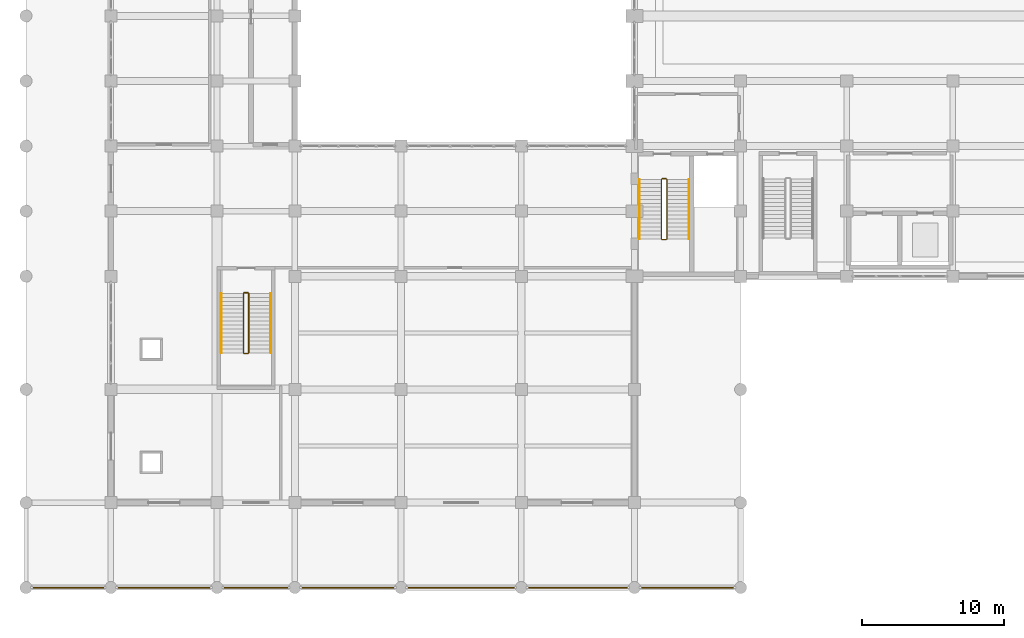
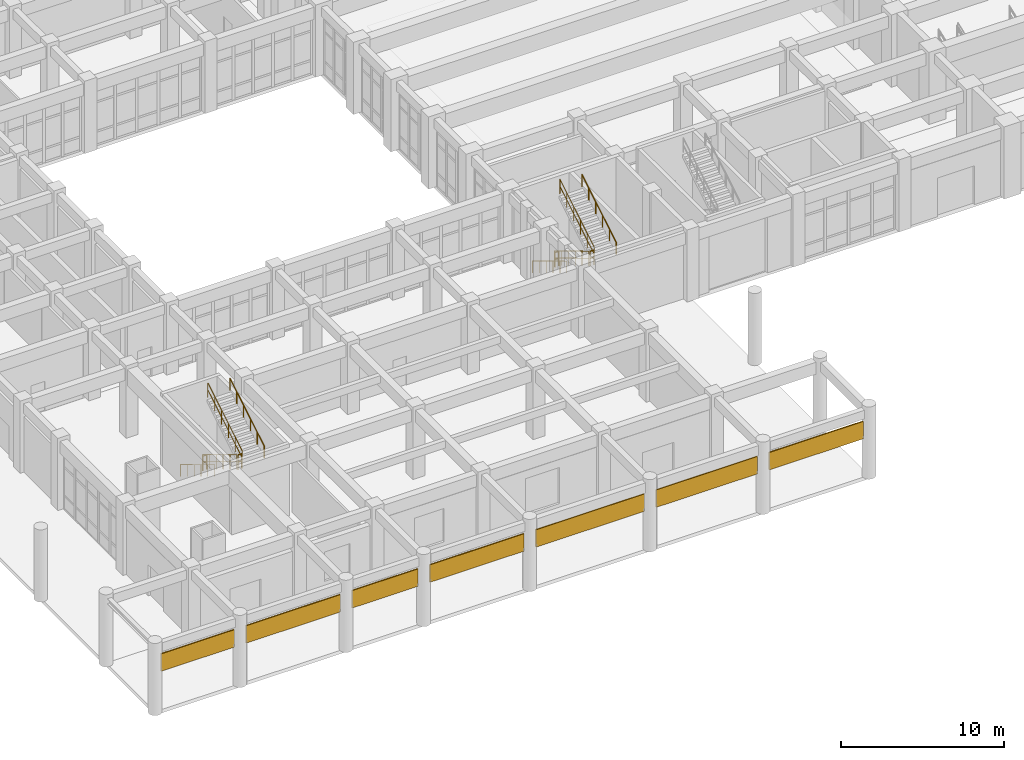
# One storey, part 75 of 84: 12 railings, 7 shading devices.
"""IFC4 building model written with IfcOpenShell, lengths in metres."""

from ifc_helpers import new_model, si_unit, direction, frame, origin, origin_2d, place, context, subcontext, project, spatial, rectangle, circle, extrude, material, layer, layer_set, type_object, element, save


model = new_model("IFC4")

# Units and contexts
model_context = context("Model", 3, precision=1e-05, world=origin(), true_north=direction((0.0, 1.0)))
body_context = subcontext(model_context, "Body", "Model", "MODEL_VIEW")
ifc_project = project(units=[si_unit("LENGTHUNIT", "METRE"), si_unit("AREAUNIT", "SQUARE_METRE"), si_unit("VOLUMEUNIT", "CUBIC_METRE"), si_unit("PLANEANGLEUNIT", "RADIAN"), si_unit("MASSUNIT", "GRAM", prefix="KILO")], contexts=[model_context])

# Site, building, storey
site_placement = place(None, origin())
site = spatial("IfcSite", under=ifc_project, at=site_placement, CompositionType="ELEMENT")
building_placement = place(site_placement, origin())
building = spatial("IfcBuilding", under=site, at=building_placement, Name="Muzn Square Opera House", CompositionType="ELEMENT")
storey_placement = place(building_placement, origin())
storey = spatial("IfcBuildingStorey", under=building, at=storey_placement, Name="L00", CompositionType="ELEMENT", Elevation=0.0)

# Shading devices
ifc_material_1 = material(Name="Architectural bronze mashrabiya", Category="metal")
ifc_layer = layer(ifc_material_1, 0.080078125, Name="Architectural bronze mashrabiya", Category="metal")
ifc_layer_set = layer_set([ifc_layer], Name="Architectural bronze mashrabiya")
shading_device_type = type_object("IfcShadingDeviceType", Name="Bronze Botanical Mashrabiya Screen", PredefinedType="JALOUSIE", material=ifc_layer_set)
shading_device_1_placement = place(storey_placement, frame((3.0, 0.0, 2.89990234375), z_axis=(0.0, 0.0, 1.0), x_axis=(1.0, 0.0, 0.0)))
element("IfcShadingDevice", 1, at=shading_device_1_placement, inside=storey, type_object=shading_device_type, Name="Bronze Botanical Mashrabiya Solar Screen SHD-L00-S01", PredefinedType="JALOUSIE", context=body_context, shape_type="SweptSolid", body=[
    extrude(rectangle(XDim=5.169921875, YDim=0.080078125, at=origin_2d()), origin(), (0.0, 0.0, 1.0), 1.300048828125),
])
shading_device_2_placement = place(storey_placement, frame((9.75, 0.0, 2.89990234375), z_axis=(0.0, 0.0, 1.0), x_axis=(1.0, 0.0, 0.0)))
element("IfcShadingDevice", 2, at=shading_device_2_placement, inside=storey, type_object=shading_device_type, Name="Bronze Botanical Mashrabiya Solar Screen SHD-L00-S02", PredefinedType="JALOUSIE", context=body_context, shape_type="SweptSolid", body=[
    extrude(rectangle(XDim=6.669921875, YDim=0.080078125, at=origin_2d()), origin(), (0.0, 0.0, 1.0), 1.300048828125),
])
shading_device_3_placement = place(storey_placement, frame((16.25, 0.0, 2.89990234375), z_axis=(0.0, 0.0, 1.0), x_axis=(1.0, 0.0, 0.0)))
element("IfcShadingDevice", 3, at=shading_device_3_placement, inside=storey, type_object=shading_device_type, Name="Bronze Botanical Mashrabiya Solar Screen SHD-L00-S03", PredefinedType="JALOUSIE", context=body_context, shape_type="SweptSolid", body=[
    extrude(rectangle(XDim=4.669921875, YDim=0.080078125, at=origin_2d()), origin(), (0.0, 0.0, 1.0), 1.300048828125),
])
shading_device_4_placement = place(storey_placement, frame((22.75, 0.0, 2.89990234375), z_axis=(0.0, 0.0, 1.0), x_axis=(1.0, 0.0, 0.0)))
element("IfcShadingDevice", 4, at=shading_device_4_placement, inside=storey, type_object=shading_device_type, Name="Bronze Botanical Mashrabiya Solar Screen SHD-L00-S04", PredefinedType="JALOUSIE", context=body_context, shape_type="SweptSolid", body=[
    extrude(rectangle(XDim=6.669921875, YDim=0.080078125, at=origin_2d()), origin(), (0.0, 0.0, 1.0), 1.300048828125),
])
shading_device_5_placement = place(storey_placement, frame((30.75, 0.0, 2.89990234375), z_axis=(0.0, 0.0, 1.0), x_axis=(1.0, 0.0, 0.0)))
element("IfcShadingDevice", 5, at=shading_device_5_placement, inside=storey, type_object=shading_device_type, Name="Bronze Botanical Mashrabiya Solar Screen SHD-L00-S05", PredefinedType="JALOUSIE", context=body_context, shape_type="SweptSolid", body=[
    extrude(rectangle(XDim=7.669921875, YDim=0.080078125, at=origin_2d()), origin(), (0.0, 0.0, 1.0), 1.300048828125),
])
shading_device_6_placement = place(storey_placement, frame((39.0, 0.0, 2.89990234375), z_axis=(0.0, 0.0, 1.0), x_axis=(1.0, 0.0, 0.0)))
element("IfcShadingDevice", 6, at=shading_device_6_placement, inside=storey, type_object=shading_device_type, Name="Bronze Botanical Mashrabiya Solar Screen SHD-L00-S06", PredefinedType="JALOUSIE", context=body_context, shape_type="SweptSolid", body=[
    extrude(rectangle(XDim=7.169921875, YDim=0.080078125, at=origin_2d()), origin(), (0.0, 0.0, 1.0), 1.300048828125),
])
shading_device_7_placement = place(storey_placement, frame((46.75, 0.0, 2.89990234375), z_axis=(0.0, 0.0, 1.0), x_axis=(1.0, 0.0, 0.0)))
element("IfcShadingDevice", 7, at=shading_device_7_placement, inside=storey, type_object=shading_device_type, Name="Bronze Botanical Mashrabiya Solar Screen SHD-L00-S07", PredefinedType="JALOUSIE", context=body_context, shape_type="SweptSolid", body=[
    extrude(rectangle(XDim=6.669921875, YDim=0.080078125, at=origin_2d()), origin(), (0.0, 0.0, 1.0), 1.300048828125),
])

# Railings
ifc_material_2 = material(Name="Brushed stainless steel", Category="metal")
railing_type_1 = type_object("IfcRailingType", Name="Stair Guard Railing 1120mm", PredefinedType="GUARDRAIL", material=ifc_material_2)
railing_1_placement = place(storey_placement, frame((44.909912109375, 28.840087890625, 0.168701171875)))
element("IfcRailing", 8, at=railing_1_placement, inside=storey, type_object=railing_type_1, Name="L00 ST-3 stair guard 1", PredefinedType="GUARDRAIL", context=body_context, shape_type="SweptSolid", body=[
    extrude(circle(Radius=0.02392578125, at=origin_2d()), frame((0.0, 0.0, 1.076171875), z_axis=(0.0, -0.856489757249, 0.516164020179), x_axis=(1.0, 0.0, 0.0)), (0.0, 0.0, 1.0), 4.904052734375),
    extrude(circle(Radius=0.02392578125, at=origin_2d()), frame((0.0, 0.0, 0.550048828125), z_axis=(0.0, -0.856489757249, 0.516164020179), x_axis=(1.0, 0.0, 0.0)), (0.0, 0.0, 1.0), 4.904052734375),
    extrude(circle(Radius=0.02099609375, at=origin_2d()), origin(), (0.0, 0.0, 1.0), 1.052001953125),
    extrude(circle(Radius=0.02099609375, at=origin_2d()), frame((0.0, -0.840087890625, 0.50634765625)), (0.0, 0.0, 1.0), 1.052001953125),
    extrude(circle(Radius=0.02099609375, at=origin_2d()), frame((0.0, -1.68017578125, 1.012451171875)), (0.0, 0.0, 1.0), 1.052001953125),
    extrude(circle(Radius=0.02099609375, at=origin_2d()), frame((0.0, -2.52001953125, 1.518798828125)), (0.0, 0.0, 1.0), 1.052001953125),
    extrude(circle(Radius=0.02099609375, at=origin_2d()), frame((0.0, -3.360107421875, 2.02490234375)), (0.0, 0.0, 1.0), 1.052001953125),
    extrude(circle(Radius=0.02099609375, at=origin_2d()), frame((0.0, -4.2001953125, 2.53125)), (0.0, 0.0, 1.0), 1.052001953125),
])
railing_2_placement = place(storey_placement, frame((44.9599609375, 24.590087890625, 2.699951171875)))
element("IfcRailing", 9, at=railing_2_placement, inside=storey, type_object=railing_type_1, Name="L00 ST-3 stair guard 2", PredefinedType="GUARDRAIL", context=body_context, shape_type="SweptSolid", body=[
    extrude(circle(Radius=0.02392578125, at=origin_2d()), frame((0.0, 0.0, 1.076171875), z_axis=(1.0, 0.0, 0.0), x_axis=(0.0, 1.0, 0.0)), (0.0, 0.0, 1.0), 0.280029296875),
    extrude(circle(Radius=0.02392578125, at=origin_2d()), frame((0.0, 0.0, 0.550048828125), z_axis=(1.0, 0.0, 0.0), x_axis=(0.0, 1.0, 0.0)), (0.0, 0.0, 1.0), 0.280029296875),
    extrude(circle(Radius=0.02099609375, at=origin_2d()), origin(), (0.0, 0.0, 1.0), 1.052001953125),
    extrude(circle(Radius=0.02099609375, at=origin_2d()), frame((0.280029296875, 0.0, 0.0)), (0.0, 0.0, 1.0), 1.052001953125),
])
railing_3_placement = place(storey_placement, frame((45.2900390625, 24.639892578125, 2.86865234375)))
element("IfcRailing", 10, at=railing_3_placement, inside=storey, type_object=railing_type_1, Name="L00 ST-3 stair guard 3", PredefinedType="GUARDRAIL", context=body_context, shape_type="SweptSolid", body=[
    extrude(circle(Radius=0.02392578125, at=origin_2d()), frame((0.0, 0.0, 1.076171875), z_axis=(0.0, 0.856489757249, 0.516164020179), x_axis=(-1.0, 0.0, 0.0)), (0.0, 0.0, 1.0), 4.904052734375),
    extrude(circle(Radius=0.02392578125, at=origin_2d()), frame((0.0, 0.0, 0.550048828125), z_axis=(0.0, 0.856489757249, 0.516164020179), x_axis=(-1.0, 0.0, 0.0)), (0.0, 0.0, 1.0), 4.904052734375),
    extrude(circle(Radius=0.02099609375, at=origin_2d()), origin(), (0.0, 0.0, 1.0), 1.052001953125),
    extrude(circle(Radius=0.02099609375, at=origin_2d()), frame((0.0, 0.840087890625, 0.50634765625)), (0.0, 0.0, 1.0), 1.052001953125),
    extrude(circle(Radius=0.02099609375, at=origin_2d()), frame((0.0, 1.68017578125, 1.012451171875)), (0.0, 0.0, 1.0), 1.052001953125),
    extrude(circle(Radius=0.02099609375, at=origin_2d()), frame((0.0, 2.52001953125, 1.518798828125)), (0.0, 0.0, 1.0), 1.052001953125),
    extrude(circle(Radius=0.02099609375, at=origin_2d()), frame((0.0, 3.360107421875, 2.02490234375)), (0.0, 0.0, 1.0), 1.052001953125),
    extrude(circle(Radius=0.02099609375, at=origin_2d()), frame((0.0, 4.2001953125, 2.53125)), (0.0, 0.0, 1.0), 1.052001953125),
])
railing_4_placement = place(storey_placement, frame((44.9599609375, 28.889892578125, 0.0)))
element("IfcRailing", 11, at=railing_4_placement, inside=storey, type_object=railing_type_1, Name="L00 ST-3 stair guard 4", PredefinedType="GUARDRAIL", context=body_context, shape_type="SweptSolid", body=[
    extrude(circle(Radius=0.02392578125, at=origin_2d()), frame((0.0, 0.0, 1.076171875), z_axis=(1.0, 0.0, 0.0), x_axis=(0.0, 1.0, 0.0)), (0.0, 0.0, 1.0), 0.280029296875),
    extrude(circle(Radius=0.02392578125, at=origin_2d()), frame((0.0, 0.0, 0.550048828125), z_axis=(1.0, 0.0, 0.0), x_axis=(0.0, 1.0, 0.0)), (0.0, 0.0, 1.0), 0.280029296875),
    extrude(circle(Radius=0.02099609375, at=origin_2d()), origin(), (0.0, 0.0, 1.0), 1.052001953125),
    extrude(circle(Radius=0.02099609375, at=origin_2d()), frame((0.280029296875, 0.0, 0.0)), (0.0, 0.0, 1.0), 1.052001953125),
])
railing_5_placement = place(storey_placement, frame((15.360107421875, 20.7900390625, 0.168701171875)))
element("IfcRailing", 12, at=railing_5_placement, inside=storey, type_object=railing_type_1, Name="L00 ST-7 stair guard 1", PredefinedType="GUARDRAIL", context=body_context, shape_type="SweptSolid", body=[
    extrude(circle(Radius=0.02392578125, at=origin_2d()), frame((0.0, 0.0, 1.076171875), z_axis=(0.0, -0.856476492594, 0.516186030065), x_axis=(1.0, 0.0, 0.0)), (0.0, 0.0, 1.0), 4.90380859375),
    extrude(circle(Radius=0.02392578125, at=origin_2d()), frame((0.0, 0.0, 0.550048828125), z_axis=(0.0, -0.856476492594, 0.516186030065), x_axis=(1.0, 0.0, 0.0)), (0.0, 0.0, 1.0), 4.90380859375),
    extrude(circle(Radius=0.02099609375, at=origin_2d()), origin(), (0.0, 0.0, 1.0), 1.052001953125),
    extrude(circle(Radius=0.02099609375, at=origin_2d()), frame((0.0, -0.840087890625, 0.50634765625)), (0.0, 0.0, 1.0), 1.052001953125),
    extrude(circle(Radius=0.02099609375, at=origin_2d()), frame((0.0, -1.679931640625, 1.012451171875)), (0.0, 0.0, 1.0), 1.052001953125),
    extrude(circle(Radius=0.02099609375, at=origin_2d()), frame((0.0, -2.52001953125, 1.518798828125)), (0.0, 0.0, 1.0), 1.052001953125),
    extrude(circle(Radius=0.02099609375, at=origin_2d()), frame((0.0, -3.35986328125, 2.02490234375)), (0.0, 0.0, 1.0), 1.052001953125),
    extrude(circle(Radius=0.02099609375, at=origin_2d()), frame((0.0, -4.199951171875, 2.53125)), (0.0, 0.0, 1.0), 1.052001953125),
])
railing_6_placement = place(storey_placement, frame((15.409912109375, 16.5400390625, 2.699951171875)))
element("IfcRailing", 13, at=railing_6_placement, inside=storey, type_object=railing_type_1, Name="L00 ST-7 stair guard 2", PredefinedType="GUARDRAIL", context=body_context, shape_type="SweptSolid", body=[
    extrude(circle(Radius=0.02392578125, at=origin_2d()), frame((0.0, 0.0, 1.076171875), z_axis=(1.0, 0.0, 0.0), x_axis=(0.0, 1.0, 0.0)), (0.0, 0.0, 1.0), 0.280029296875),
    extrude(circle(Radius=0.02392578125, at=origin_2d()), frame((0.0, 0.0, 0.550048828125), z_axis=(1.0, 0.0, 0.0), x_axis=(0.0, 1.0, 0.0)), (0.0, 0.0, 1.0), 0.280029296875),
    extrude(circle(Radius=0.02099609375, at=origin_2d()), origin(), (0.0, 0.0, 1.0), 1.052001953125),
    extrude(circle(Radius=0.02099609375, at=origin_2d()), frame((0.280029296875, 0.0, 0.0)), (0.0, 0.0, 1.0), 1.052001953125),
])
railing_7_placement = place(storey_placement, frame((15.739990234375, 16.590087890625, 2.86865234375)))
element("IfcRailing", 14, at=railing_7_placement, inside=storey, type_object=railing_type_1, Name="L00 ST-7 stair guard 3", PredefinedType="GUARDRAIL", context=body_context, shape_type="SweptSolid", body=[
    extrude(circle(Radius=0.02392578125, at=origin_2d()), frame((0.0, 0.0, 1.076171875), z_axis=(0.0, 0.856476492594, 0.516186030065), x_axis=(-1.0, 0.0, 0.0)), (0.0, 0.0, 1.0), 4.90380859375),
    extrude(circle(Radius=0.02392578125, at=origin_2d()), frame((0.0, 0.0, 0.550048828125), z_axis=(0.0, 0.856476492594, 0.516186030065), x_axis=(-1.0, 0.0, 0.0)), (0.0, 0.0, 1.0), 4.90380859375),
    extrude(circle(Radius=0.02099609375, at=origin_2d()), origin(), (0.0, 0.0, 1.0), 1.052001953125),
    extrude(circle(Radius=0.02099609375, at=origin_2d()), frame((0.0, 0.840087890625, 0.50634765625)), (0.0, 0.0, 1.0), 1.052001953125),
    extrude(circle(Radius=0.02099609375, at=origin_2d()), frame((0.0, 1.679931640625, 1.012451171875)), (0.0, 0.0, 1.0), 1.052001953125),
    extrude(circle(Radius=0.02099609375, at=origin_2d()), frame((0.0, 2.52001953125, 1.518798828125)), (0.0, 0.0, 1.0), 1.052001953125),
    extrude(circle(Radius=0.02099609375, at=origin_2d()), frame((0.0, 3.35986328125, 2.02490234375)), (0.0, 0.0, 1.0), 1.052001953125),
    extrude(circle(Radius=0.02099609375, at=origin_2d()), frame((0.0, 4.199951171875, 2.53125)), (0.0, 0.0, 1.0), 1.052001953125),
])
railing_8_placement = place(storey_placement, frame((15.409912109375, 20.840087890625, 0.0)))
element("IfcRailing", 15, at=railing_8_placement, inside=storey, type_object=railing_type_1, Name="L00 ST-7 stair guard 4", PredefinedType="GUARDRAIL", context=body_context, shape_type="SweptSolid", body=[
    extrude(circle(Radius=0.02392578125, at=origin_2d()), frame((0.0, 0.0, 1.076171875), z_axis=(1.0, 0.0, 0.0), x_axis=(0.0, 1.0, 0.0)), (0.0, 0.0, 1.0), 0.280029296875),
    extrude(circle(Radius=0.02392578125, at=origin_2d()), frame((0.0, 0.0, 0.550048828125), z_axis=(1.0, 0.0, 0.0), x_axis=(0.0, 1.0, 0.0)), (0.0, 0.0, 1.0), 0.280029296875),
    extrude(circle(Radius=0.02099609375, at=origin_2d()), origin(), (0.0, 0.0, 1.0), 1.052001953125),
    extrude(circle(Radius=0.02099609375, at=origin_2d()), frame((0.280029296875, 0.0, 0.0)), (0.0, 0.0, 1.0), 1.052001953125),
])
railing_type_2 = type_object("IfcRailingType", Name="Stair Pitch Handrail 900mm", PredefinedType="HANDRAIL", material=ifc_material_2)
railing_9_placement = place(storey_placement, frame((43.35009765625, 28.840087890625, 0.168701171875)))
element("IfcRailing", 16, at=railing_9_placement, inside=storey, type_object=railing_type_2, Name="L00 ST-3 stair handrail 1", PredefinedType="HANDRAIL", context=body_context, shape_type="SweptSolid", body=[
    extrude(circle(Radius=0.02392578125, at=origin_2d()), frame((0.0, 0.0, 0.8759765625), z_axis=(0.0, -0.856489757249, 0.516164020179), x_axis=(1.0, 0.0, 0.0)), (0.0, 0.0, 1.0), 4.904052734375),
    extrude(circle(Radius=0.02099609375, at=origin_2d()), origin(), (0.0, 0.0, 1.0), 0.851806640625),
    extrude(circle(Radius=0.02099609375, at=origin_2d()), frame((0.0, -0.840087890625, 0.50634765625)), (0.0, 0.0, 1.0), 0.851806640625),
    extrude(circle(Radius=0.02099609375, at=origin_2d()), frame((0.0, -1.68017578125, 1.012451171875)), (0.0, 0.0, 1.0), 0.851806640625),
    extrude(circle(Radius=0.02099609375, at=origin_2d()), frame((0.0, -2.52001953125, 1.518798828125)), (0.0, 0.0, 1.0), 0.851806640625),
    extrude(circle(Radius=0.02099609375, at=origin_2d()), frame((0.0, -3.360107421875, 2.02490234375)), (0.0, 0.0, 1.0), 0.851806640625),
    extrude(circle(Radius=0.02099609375, at=origin_2d()), frame((0.0, -4.2001953125, 2.53125)), (0.0, 0.0, 1.0), 0.851806640625),
])
railing_10_placement = place(storey_placement, frame((46.85009765625, 24.639892578125, 2.86865234375)))
element("IfcRailing", 17, at=railing_10_placement, inside=storey, type_object=railing_type_2, Name="L00 ST-3 stair handrail 2", PredefinedType="HANDRAIL", context=body_context, shape_type="SweptSolid", body=[
    extrude(circle(Radius=0.02392578125, at=origin_2d()), frame((0.0, 0.0, 0.8759765625), z_axis=(0.0, 0.856489757249, 0.516164020179), x_axis=(-1.0, 0.0, 0.0)), (0.0, 0.0, 1.0), 4.904052734375),
    extrude(circle(Radius=0.02099609375, at=origin_2d()), origin(), (0.0, 0.0, 1.0), 0.851806640625),
    extrude(circle(Radius=0.02099609375, at=origin_2d()), frame((0.0, 0.840087890625, 0.50634765625)), (0.0, 0.0, 1.0), 0.851806640625),
    extrude(circle(Radius=0.02099609375, at=origin_2d()), frame((0.0, 1.68017578125, 1.012451171875)), (0.0, 0.0, 1.0), 0.851806640625),
    extrude(circle(Radius=0.02099609375, at=origin_2d()), frame((0.0, 2.52001953125, 1.518798828125)), (0.0, 0.0, 1.0), 0.851806640625),
    extrude(circle(Radius=0.02099609375, at=origin_2d()), frame((0.0, 3.360107421875, 2.02490234375)), (0.0, 0.0, 1.0), 0.851806640625),
    extrude(circle(Radius=0.02099609375, at=origin_2d()), frame((0.0, 4.2001953125, 2.53125)), (0.0, 0.0, 1.0), 0.851806640625),
])
railing_11_placement = place(storey_placement, frame((13.800048828125, 20.7900390625, 0.168701171875)))
element("IfcRailing", 18, at=railing_11_placement, inside=storey, type_object=railing_type_2, Name="L00 ST-7 stair handrail 1", PredefinedType="HANDRAIL", context=body_context, shape_type="SweptSolid", body=[
    extrude(circle(Radius=0.02392578125, at=origin_2d()), frame((0.0, 0.0, 0.8759765625), z_axis=(0.0, -0.856476492594, 0.516186030065), x_axis=(1.0, 0.0, 0.0)), (0.0, 0.0, 1.0), 4.90380859375),
    extrude(circle(Radius=0.02099609375, at=origin_2d()), origin(), (0.0, 0.0, 1.0), 0.851806640625),
    extrude(circle(Radius=0.02099609375, at=origin_2d()), frame((0.0, -0.840087890625, 0.50634765625)), (0.0, 0.0, 1.0), 0.851806640625),
    extrude(circle(Radius=0.02099609375, at=origin_2d()), frame((0.0, -1.679931640625, 1.012451171875)), (0.0, 0.0, 1.0), 0.851806640625),
    extrude(circle(Radius=0.02099609375, at=origin_2d()), frame((0.0, -2.52001953125, 1.518798828125)), (0.0, 0.0, 1.0), 0.851806640625),
    extrude(circle(Radius=0.02099609375, at=origin_2d()), frame((0.0, -3.35986328125, 2.02490234375)), (0.0, 0.0, 1.0), 0.851806640625),
    extrude(circle(Radius=0.02099609375, at=origin_2d()), frame((0.0, -4.199951171875, 2.53125)), (0.0, 0.0, 1.0), 0.851806640625),
])
railing_12_placement = place(storey_placement, frame((17.300048828125, 16.590087890625, 2.86865234375)))
element("IfcRailing", 19, at=railing_12_placement, inside=storey, type_object=railing_type_2, Name="L00 ST-7 stair handrail 2", PredefinedType="HANDRAIL", context=body_context, shape_type="SweptSolid", body=[
    extrude(circle(Radius=0.02392578125, at=origin_2d()), frame((0.0, 0.0, 0.8759765625), z_axis=(0.0, 0.856476492594, 0.516186030065), x_axis=(-1.0, 0.0, 0.0)), (0.0, 0.0, 1.0), 4.90380859375),
    extrude(circle(Radius=0.02099609375, at=origin_2d()), origin(), (0.0, 0.0, 1.0), 0.851806640625),
    extrude(circle(Radius=0.02099609375, at=origin_2d()), frame((0.0, 0.840087890625, 0.50634765625)), (0.0, 0.0, 1.0), 0.851806640625),
    extrude(circle(Radius=0.02099609375, at=origin_2d()), frame((0.0, 1.679931640625, 1.012451171875)), (0.0, 0.0, 1.0), 0.851806640625),
    extrude(circle(Radius=0.02099609375, at=origin_2d()), frame((0.0, 2.52001953125, 1.518798828125)), (0.0, 0.0, 1.0), 0.851806640625),
    extrude(circle(Radius=0.02099609375, at=origin_2d()), frame((0.0, 3.35986328125, 2.02490234375)), (0.0, 0.0, 1.0), 0.851806640625),
    extrude(circle(Radius=0.02099609375, at=origin_2d()), frame((0.0, 4.199951171875, 2.53125)), (0.0, 0.0, 1.0), 0.851806640625),
])

save(model, "model.ifc")
